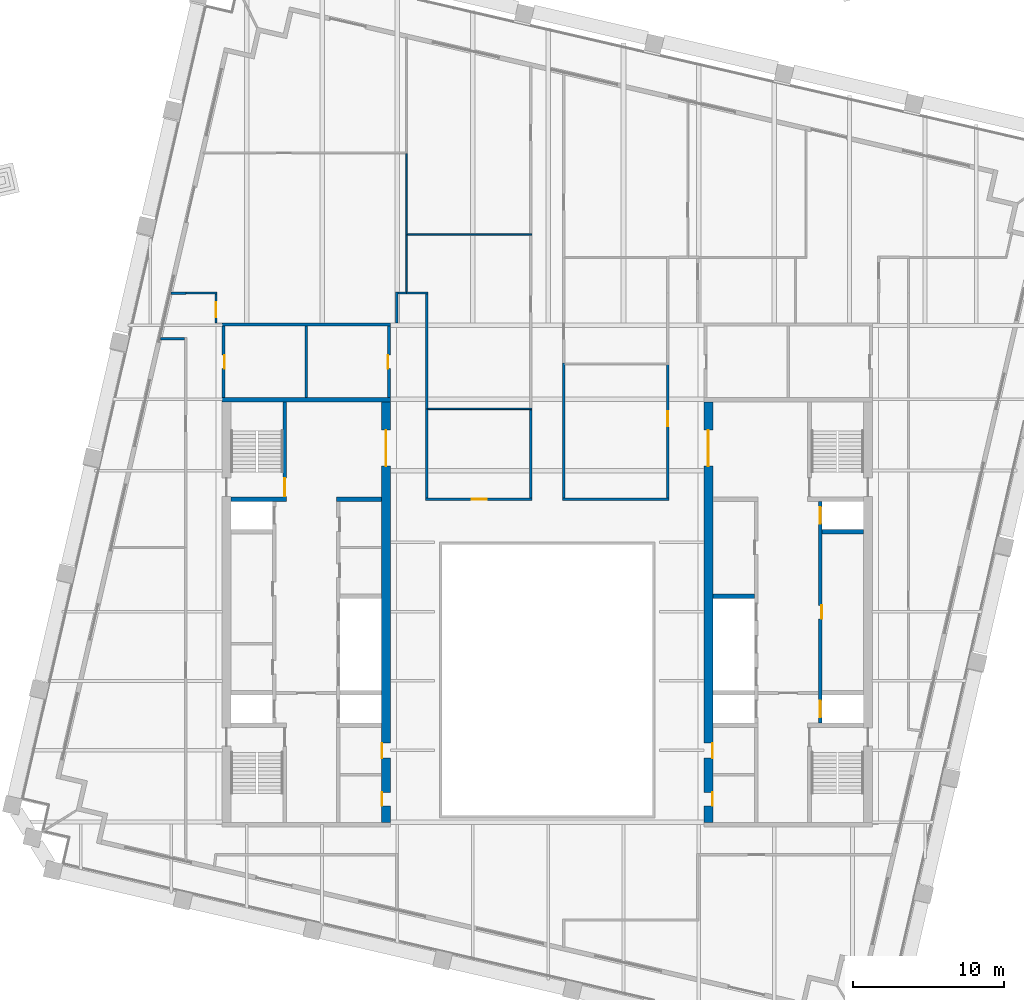
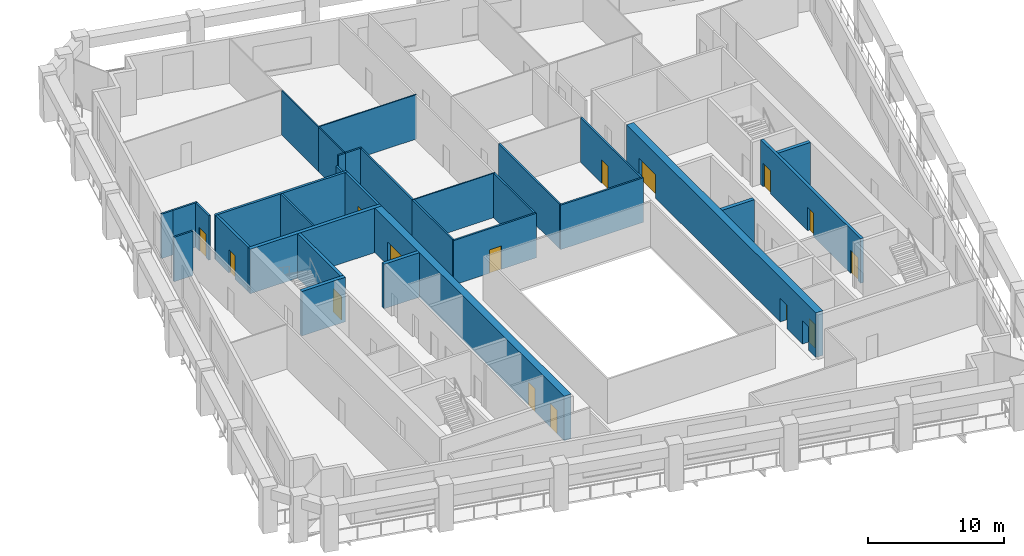
# One storey, part 6 of 9: 31 walls, 15 doors, 15 openings.
"""IFC4 building model written with IfcOpenShell, lengths in metres."""

from ifc_helpers import new_model, si_unit, direction, frame, frame_2d, origin, place, context, subcontext, project, spatial, rectangle, extrude, material, layer, layer_set, type_object, element, fill, save


model = new_model("IFC4")

# Units and contexts
model_context = context("Model", 3, precision=1e-05, world=origin(), true_north=direction((0.0, 1.0)))
body_context = subcontext(model_context, "Body", "Model", "MODEL_VIEW")
ifc_project = project(units=[si_unit("LENGTHUNIT", "METRE"), si_unit("AREAUNIT", "SQUARE_METRE"), si_unit("VOLUMEUNIT", "CUBIC_METRE"), si_unit("PLANEANGLEUNIT", "RADIAN"), si_unit("MASSUNIT", "GRAM", prefix="KILO")], contexts=[model_context])

# Site, building, storey
site_placement = place(None, origin())
site = spatial("IfcSite", under=ifc_project, at=site_placement, CompositionType="ELEMENT")
building_placement = place(site_placement, origin())
building = spatial("IfcBuilding", under=site, at=building_placement, Name="Ogive Exchange Tower", CompositionType="ELEMENT")
storey_placement = place(building_placement, frame((0.0, 0.0, 243.0)))
storey = spatial("IfcBuildingStorey", under=building, at=storey_placement, Name="L52", CompositionType="ELEMENT", Elevation=243.0)

# Walls
ifc_material_1 = material(Name="Gypsum board partition")
ifc_layer_1 = layer(ifc_material_1, 0.14990234375)
ifc_layer_set_1 = layer_set([ifc_layer_1], Name="Core room partition 150 gypsum")
wall_type_1 = type_object("IfcWallType", Name="Core room partition 150 gypsum", PredefinedType="PARTITIONING", material=ifc_layer_set_1)
wall_1_placement = place(storey_placement, frame((-16.0, 25.75, 0.0), z_axis=(0.0, 0.0, 1.0), x_axis=(0.0, 1.0, 0.0)))
element("IfcWall", 1, at=wall_1_placement, inside=storey, type_object=wall_type_1, Name="W annex N column wall", PredefinedType="PARTITIONING", context=body_context, shape_type="SweptSolid", body=[
    extrude(rectangle(XDim=4.75, YDim=0.14990234375, at=frame_2d((2.375, 0.0))), origin(), (0.0, 0.0, 1.0), 4.0),
])
ifc_layer_2 = layer(ifc_material_1, 0.300048828125)
ifc_layer_set_2 = layer_set([ifc_layer_2], Name="Core room partition 300 gypsum")
wall_type_2 = type_object("IfcWallType", Name="Core room partition 300 gypsum", PredefinedType="PARTITIONING", material=ifc_layer_set_2)
wall_2_placement = place(storey_placement, frame((-14.0, 19.0, 0.0), z_axis=(0.0, 0.0, 1.0), x_axis=(1.0, 0.0, 0.0)))
element("IfcWall", 2, at=wall_2_placement, inside=storey, type_object=wall_type_2, Name="W row B room end wall 7", PredefinedType="PARTITIONING", context=body_context, shape_type="SweptSolid", body=[
    extrude(rectangle(XDim=3.0, YDim=0.300048828125, at=frame_2d((1.5, 0.0))), origin(), (0.0, 0.0, 1.0), 4.0),
])
ifc_material_2 = material(Name="Fire partition EI 60 150")
ifc_layer_3 = layer(ifc_material_2, 0.14990234375)
ifc_layer_set_3 = layer_set([ifc_layer_3], Name="Fire partition EI 60 150")
wall_type_3 = type_object("IfcWallType", Name="Fire partition EI 60 150", PredefinedType="PARTITIONING", material=ifc_layer_set_3)
wall_3_placement = place(storey_placement, frame((-24.97900390625, 32.68994140625, 0.0), z_axis=(0.0, 0.0, 1.0), x_axis=(1.0, 0.0, 0.0)))
element("IfcWall", 3, at=wall_3_placement, inside=storey, type_object=wall_type_3, Name="L52-PWL-001", PredefinedType="PARTITIONING", context=body_context, shape_type="SweptSolid", body=[
    extrude(rectangle(XDim=0.97900390625, YDim=0.14990234375, at=frame_2d((0.489501953125, 0.0))), origin(), (0.0, 0.0, 1.0), 4.0),
])
wall_4_placement = place(storey_placement, frame((-24.074951171875, 29.659912109375, 0.0), z_axis=(0.0, 0.0, 1.0), x_axis=(-1.0, 0.0, 0.0)))
element("IfcWall", 4, at=wall_4_placement, inside=storey, type_object=wall_type_3, Name="L52-PWL-005", PredefinedType="PARTITIONING", context=body_context, shape_type="SweptSolid", body=[
    extrude(rectangle(XDim=1.60302734375, YDim=0.14990234375, at=frame_2d((0.801513671875, 0.0))), origin(), (0.0, 0.0, 1.0), 4.0),
])
wall_5_placement = place(storey_placement, frame((-24.0, 32.699951171875, 0.0), z_axis=(0.0, 0.0, 1.0), x_axis=(1.0, 0.0, 0.0)))
element("IfcWall", 5, at=wall_5_placement, inside=storey, type_object=wall_type_3, Name="L52-PWL-006", PredefinedType="PARTITIONING", context=body_context, shape_type="SweptSolid", body=[
    extrude(rectangle(XDim=2.074951171875, YDim=0.14990234375, at=frame_2d((1.03759765625, 0.0))), origin(), (0.0, 0.0, 1.0), 4.0),
])

# Wall, opening, door
wall_6_placement = place(storey_placement, frame((-22.0, 32.625, 0.0), z_axis=(0.0, 0.0, 1.0), x_axis=(0.0, -1.0, 0.0)))
wall_6 = element("IfcWall", 6, at=wall_6_placement, inside=storey, type_object=wall_type_3, Name="L52-PWL-010", PredefinedType="PARTITIONING", context=body_context, shape_type="SweptSolid", body=[
    extrude(rectangle(XDim=1.925048828125, YDim=0.14990234375, at=frame_2d((0.96240234375, 0.0))), origin(), (0.0, 0.0, 1.0), 4.0),
])
opening_1_placement = place(wall_6_placement, frame((0.52490234375, 0.0, 0.0)))
opening_1 = element("IfcOpeningElement", 7, at=opening_1_placement, cuts=wall_6, Name="Opening L52-I05", PredefinedType="OPENING", context=body_context, shape_type="SweptSolid", body=[
    extrude(rectangle(XDim=1.0, YDim=2.10009765625, at=frame_2d((0.5, 1.050048828125))), frame((0.0, 0.0849609375, 0.0), z_axis=(0.0, -1.0, 0.0), x_axis=(1.0, 0.0, 0.0)), (0.0, 0.0, 1.0), 0.169921875),
])
ifc_material_3 = material(Name="Fire door FD 30S 1000 x 2100")
door_type_1 = type_object("IfcDoorType", Name="Fire door FD 30S 1000 x 2100", OperationType="NOTDEFINED", PredefinedType="DOOR", material=ifc_material_3)
door_1_placement = place(opening_1_placement, origin())
door_1 = element("IfcDoor", 8, at=door_1_placement, inside=storey, type_object=door_type_1, Name="L52-IDR-005", ObjectType="DT3", OperationType="SINGLE_SWING_LEFT", OverallHeight=2.10009765625, OverallWidth=1.0, PredefinedType="DOOR", context=body_context, shape_type="SweptSolid", body=[
    extrude(rectangle(XDim=1.0, YDim=2.10009765625, at=frame_2d((0.5, 1.050048828125))), frame((0.0, 0.02490234375, 0.0), z_axis=(0.0, -1.0, 0.0), x_axis=(1.0, 0.0, 0.0)), (0.0, 0.0, 1.0), 0.050048828125),
])
fill(opening_1, door_1)

# Walls
wall_7_placement = place(storey_placement, frame((-10.0, 30.699951171875, 0.0), z_axis=(0.0, 0.0, 1.0), x_axis=(0.0, 1.0, 0.0)))
element("IfcWall", 9, at=wall_7_placement, inside=storey, type_object=wall_type_3, Name="L52-PWL-013", PredefinedType="PARTITIONING", context=body_context, shape_type="SweptSolid", body=[
    extrude(rectangle(XDim=2.074951171875, YDim=0.14990234375, at=frame_2d((1.03759765625, 0.0))), origin(), (0.0, 0.0, 1.0), 3.02001953125),
])
wall_8_placement = place(storey_placement, frame((-9.925048828125, 32.699951171875, 0.0), z_axis=(0.0, 0.0, 1.0), x_axis=(1.0, 0.0, 0.0)))
element("IfcWall", 10, at=wall_8_placement, inside=storey, type_object=wall_type_3, Name="L52-PWL-014", PredefinedType="PARTITIONING", context=body_context, shape_type="SweptSolid", body=[
    extrude(rectangle(XDim=0.5849609375, YDim=0.14990234375, at=frame_2d((0.29248046875, 0.0))), origin(), (0.0, 0.0, 1.0), 4.0),
])
wall_9_placement = place(storey_placement, frame((-9.340087890625, 32.699951171875, 0.0), z_axis=(0.0, 0.0, 1.0), x_axis=(1.0, 0.0, 0.0)))
element("IfcWall", 11, at=wall_9_placement, inside=storey, type_object=wall_type_3, Name="L52-PWL-016", PredefinedType="PARTITIONING", context=body_context, shape_type="SweptSolid", body=[
    extrude(rectangle(XDim=1.4150390625, YDim=0.14990234375, at=frame_2d((0.70751953125, 0.0))), origin(), (0.0, 0.0, 1.0), 4.0),
])

# Wall, opening, door
wall_10_placement = place(storey_placement, frame((-8.074951171875, 19.0, 0.0), z_axis=(0.0, 0.0, 1.0), x_axis=(1.0, 0.0, 0.0)))
wall_10 = element("IfcWall", 12, at=wall_10_placement, inside=storey, type_object=wall_type_3, Name="L52-PWL-020", PredefinedType="PARTITIONING", context=body_context, shape_type="SweptSolid", body=[
    extrude(rectangle(XDim=7.050048828125, YDim=0.14990234375, at=frame_2d((3.52490234375, 0.0))), origin(), (0.0, 0.0, 1.0), 4.0),
])
opening_2_placement = place(wall_10_placement, frame((3.074951171875, 0.0, 0.0)))
opening_2 = element("IfcOpeningElement", 13, at=opening_2_placement, cuts=wall_10, Name="Opening L52-I01", PredefinedType="OPENING", context=body_context, shape_type="SweptSolid", body=[
    extrude(rectangle(XDim=1.0, YDim=2.10009765625, at=frame_2d((0.5, 1.050048828125))), frame((0.0, 0.0849609375, 0.0), z_axis=(0.0, -1.0, 0.0), x_axis=(1.0, 0.0, 0.0)), (0.0, 0.0, 1.0), 0.169921875),
])
door_2_placement = place(opening_2_placement, origin())
door_2 = element("IfcDoor", 14, at=door_2_placement, inside=storey, type_object=door_type_1, Name="L52-IDR-001", ObjectType="DT3", OperationType="SINGLE_SWING_RIGHT", OverallHeight=2.10009765625, OverallWidth=1.0, PredefinedType="DOOR", context=body_context, shape_type="SweptSolid", body=[
    extrude(rectangle(XDim=1.0, YDim=2.10009765625, at=frame_2d((0.5, 1.050048828125))), frame((0.0, 0.02490234375, 0.0), z_axis=(0.0, -1.0, 0.0), x_axis=(1.0, 0.0, 0.0)), (0.0, 0.0, 1.0), 0.050048828125),
])
fill(opening_2, door_2)

# Walls
wall_11_placement = place(storey_placement, frame((-8.0, 25.0, 0.0), z_axis=(0.0, 0.0, 1.0), x_axis=(0.0, -1.0, 0.0)))
element("IfcWall", 15, at=wall_11_placement, inside=storey, type_object=wall_type_3, Name="L52-PWL-021", PredefinedType="PARTITIONING", context=body_context, shape_type="SweptSolid", body=[
    extrude(rectangle(XDim=5.925048828125, YDim=0.14990234375, at=frame_2d((2.96240234375, 0.0))), origin(), (0.0, 0.0, 1.0), 4.0),
])
wall_12_placement = place(storey_placement, frame((-8.0, 32.625, 0.0), z_axis=(0.0, 0.0, 1.0), x_axis=(0.0, -1.0, 0.0)))
element("IfcWall", 16, at=wall_12_placement, inside=storey, type_object=wall_type_3, Name="L52-PWL-023", PredefinedType="PARTITIONING", context=body_context, shape_type="SweptSolid", body=[
    extrude(rectangle(XDim=7.625, YDim=0.14990234375, at=frame_2d((3.8125, 0.0))), origin(), (0.0, 0.0, 1.0), 4.0),
])
wall_13_placement = place(storey_placement, frame((-1.10009765625, 19.074951171875, 0.0), z_axis=(0.0, 0.0, 1.0), x_axis=(0.0, 1.0, 0.0)))
element("IfcWall", 17, at=wall_13_placement, inside=storey, type_object=wall_type_3, Name="L52-PWL-024", PredefinedType="PARTITIONING", context=body_context, shape_type="SweptSolid", body=[
    extrude(rectangle(XDim=5.875, YDim=0.14990234375, at=frame_2d((2.9375, 0.0))), origin(), (0.0, 0.0, 1.0), 4.0),
])
wall_14_placement = place(storey_placement, frame((1.02490234375, 19.0, 0.0), z_axis=(0.0, 0.0, 1.0), x_axis=(1.0, 0.0, 0.0)))
element("IfcWall", 18, at=wall_14_placement, inside=storey, type_object=wall_type_3, Name="L52-PWL-028", PredefinedType="PARTITIONING", context=body_context, shape_type="SweptSolid", body=[
    extrude(rectangle(XDim=7.050048828125, YDim=0.14990234375, at=frame_2d((3.52490234375, 0.0))), origin(), (0.0, 0.0, 1.0), 4.0),
])
wall_15_placement = place(storey_placement, frame((1.10009765625, 28.050048828125, 0.0), z_axis=(0.0, 0.0, 1.0), x_axis=(0.0, -1.0, 0.0)))
element("IfcWall", 19, at=wall_15_placement, inside=storey, type_object=wall_type_3, Name="L52-PWL-029", PredefinedType="PARTITIONING", context=body_context, shape_type="SweptSolid", body=[
    extrude(rectangle(XDim=8.97509765625, YDim=0.14990234375, at=frame_2d((4.487548828125, 0.0))), origin(), (0.0, 0.0, 1.0), 4.0),
])

# Wall, opening, door
wall_16_placement = place(storey_placement, frame((8.0, 19.074951171875, 0.0), z_axis=(0.0, 0.0, 1.0), x_axis=(0.0, 1.0, 0.0)))
wall_16 = element("IfcWall", 20, at=wall_16_placement, inside=storey, type_object=wall_type_3, Name="L52-PWL-033", PredefinedType="PARTITIONING", context=body_context, shape_type="SweptSolid", body=[
    extrude(rectangle(XDim=8.875, YDim=0.14990234375, at=frame_2d((4.4375, 0.0))), origin(), (0.0, 0.0, 1.0), 4.0),
])
opening_3_placement = place(wall_16_placement, frame((4.77490234375, 0.0, 0.0)))
opening_3 = element("IfcOpeningElement", 21, at=opening_3_placement, cuts=wall_16, Name="Opening L52-I08", PredefinedType="OPENING", context=body_context, shape_type="SweptSolid", body=[
    extrude(rectangle(XDim=1.0, YDim=2.10009765625, at=frame_2d((0.5, 1.050048828125))), frame((0.0, 0.0849609375, 0.0), z_axis=(0.0, -1.0, 0.0), x_axis=(1.0, 0.0, 0.0)), (0.0, 0.0, 1.0), 0.169921875),
])
door_3_placement = place(opening_3_placement, origin())
door_3 = element("IfcDoor", 22, at=door_3_placement, inside=storey, type_object=door_type_1, Name="L52-IDR-008", ObjectType="DT3", OperationType="SINGLE_SWING_LEFT", OverallHeight=2.10009765625, OverallWidth=1.0, PredefinedType="DOOR", context=body_context, shape_type="SweptSolid", body=[
    extrude(rectangle(XDim=1.0, YDim=2.10009765625, at=frame_2d((0.5, 1.050048828125))), frame((0.0, 0.02490234375, 0.0), z_axis=(0.0, -1.0, 0.0), x_axis=(1.0, 0.0, 0.0)), (0.0, 0.0, 1.0), 0.050048828125),
])
fill(opening_3, door_3)

# Walls
ifc_material_4 = material(Name="Partition 100 gypsum")
ifc_layer_4 = layer(ifc_material_4, 0.10009765625)
ifc_layer_set_4 = layer_set([ifc_layer_4], Name="Partition 100 gypsum")
wall_type_4 = type_object("IfcWallType", Name="Partition 100 gypsum", PredefinedType="PARTITIONING", material=ifc_layer_set_4)
wall_17_placement = place(storey_placement, frame((-9.340087890625, 32.77490234375, 0.0), z_axis=(0.0, 0.0, 1.0), x_axis=(0.0, 1.0, 0.0)))
element("IfcWall", 23, at=wall_17_placement, inside=storey, type_object=wall_type_4, Name="L52-PWL-015", PredefinedType="PARTITIONING", context=body_context, shape_type="SweptSolid", body=[
    extrude(rectangle(XDim=3.76513671875, YDim=0.10009765625, at=frame_2d((1.882568359375, 0.0))), origin(), (0.0, 0.0, 1.0), 4.0),
])
wall_18_placement = place(storey_placement, frame((-9.340087890625, 36.5400390625, 0.0), z_axis=(0.0, 0.0, 1.0), x_axis=(0.0, 1.0, 0.0)))
element("IfcWall", 24, at=wall_18_placement, inside=storey, type_object=wall_type_4, Name="L52-PWL-017", PredefinedType="PARTITIONING", context=body_context, shape_type="SweptSolid", body=[
    extrude(rectangle(XDim=5.409912109375, YDim=0.10009765625, at=frame_2d((2.705078125, 0.0))), origin(), (0.0, 0.0, 1.0), 4.0),
])
wall_19_placement = place(storey_placement, frame((-9.2900390625, 36.590087890625, 0.0), z_axis=(0.0, 0.0, 1.0), x_axis=(1.0, 0.0, 0.0)))
element("IfcWall", 25, at=wall_19_placement, inside=storey, type_object=wall_type_4, Name="L52-PWL-018", PredefinedType="PARTITIONING", context=body_context, shape_type="SweptSolid", body=[
    extrude(rectangle(XDim=8.26513671875, YDim=0.10009765625, at=frame_2d((4.132568359375, 0.0))), origin(), (0.0, 0.0, 1.0), 4.0),
])
wall_20_placement = place(storey_placement, frame((-7.925048828125, 25.0, 0.0), z_axis=(0.0, 0.0, 1.0), x_axis=(1.0, 0.0, 0.0)))
element("IfcWall", 26, at=wall_20_placement, inside=storey, type_object=wall_type_4, Name="L52-PWL-022", PredefinedType="PARTITIONING", context=body_context, shape_type="SweptSolid", body=[
    extrude(rectangle(XDim=6.900146484375, YDim=0.10009765625, at=frame_2d((3.4501953125, 0.0))), origin(), (0.0, 0.0, 1.0), 4.0),
])

# Wall, opening, door
ifc_material_5 = material(Name="Concrete C70/85", Category="concrete")
ifc_layer_5 = layer(ifc_material_5, 0.199951171875)
ifc_layer_set_5 = layer_set([ifc_layer_5], Name="RC core wall 200 C70/85")
wall_type_5 = type_object("IfcWallType", Name="RC core wall 200 C70/85", PredefinedType="SHEAR", material=ifc_layer_set_5)
wall_21_placement = place(storey_placement, frame((-21.5, 25.75, 0.0), z_axis=(0.0, 0.0, 1.0), x_axis=(0.0, 1.0, 0.0)))
wall_21 = element("IfcWall", 27, at=wall_21_placement, inside=storey, type_object=wall_type_5, Name="W annex N outer wall", PredefinedType="SHEAR", context=body_context, shape_type="SweptSolid", body=[
    extrude(rectangle(XDim=4.75, YDim=0.199951171875, at=frame_2d((2.375, 0.0))), origin(), (0.0, 0.0, 1.0), 4.0),
])
opening_4_placement = place(wall_21_placement, frame((1.925048828125, 0.0, 0.0)))
opening_4 = element("IfcOpeningElement", 28, at=opening_4_placement, cuts=wall_21, Name="Opening L52-C19", PredefinedType="OPENING", context=body_context, shape_type="SweptSolid", body=[
    extrude(rectangle(XDim=0.89990234375, YDim=2.10009765625, at=frame_2d((0.449951171875, 1.050048828125))), frame((0.0, 0.10986328125, 0.0), z_axis=(0.0, -1.0, 0.0), x_axis=(1.0, 0.0, 0.0)), (0.0, 0.0, 1.0), 0.219970703125),
])
ifc_material_6 = material(Name="Steel fire door", Category="steel")
door_type_2 = type_object("IfcDoorType", Name="Riser door FD60 900 x 2100", OperationType="NOTDEFINED", PredefinedType="DOOR", material=ifc_material_6)
door_4_placement = place(opening_4_placement, origin())
door_4 = element("IfcDoor", 29, at=door_4_placement, inside=storey, type_object=door_type_2, Name="Riser door", ObjectType="CD2", OperationType="SINGLE_SWING_LEFT", OverallHeight=2.10009765625, OverallWidth=0.89990234375, PredefinedType="DOOR", context=body_context, shape_type="SweptSolid", body=[
    extrude(rectangle(XDim=0.89990234375, YDim=2.10009765625, at=frame_2d((0.449951171875, 1.050048828125))), frame((0.0, -0.0498046875, 0.0), z_axis=(0.0, -1.0, 0.0), x_axis=(1.0, 0.0, 0.0)), (0.0, 0.0, 1.0), 0.050048828125),
])
fill(opening_4, door_4)

wall_22_placement = place(storey_placement, frame((-10.5, 25.75, 0.0), z_axis=(0.0, 0.0, 1.0), x_axis=(0.0, 1.0, 0.0)))
wall_22 = element("IfcWall", 30, at=wall_22_placement, inside=storey, type_object=wall_type_5, Name="W annex N inner wall", PredefinedType="SHEAR", context=body_context, shape_type="SweptSolid", body=[
    extrude(rectangle(XDim=4.75, YDim=0.199951171875, at=frame_2d((2.375, 0.0))), origin(), (0.0, 0.0, 1.0), 4.0),
])
opening_5_placement = place(wall_22_placement, frame((1.925048828125, 0.0, 0.0)))
opening_5 = element("IfcOpeningElement", 31, at=opening_5_placement, cuts=wall_22, Name="Opening L52-C20", PredefinedType="OPENING", context=body_context, shape_type="SweptSolid", body=[
    extrude(rectangle(XDim=0.89990234375, YDim=2.10009765625, at=frame_2d((0.449951171875, 1.050048828125))), frame((0.0, 0.10986328125, 0.0), z_axis=(0.0, -1.0, 0.0), x_axis=(1.0, 0.0, 0.0)), (0.0, 0.0, 1.0), 0.219970703125),
])
door_5_placement = place(opening_5_placement, frame((0.89990234375, 0.14990234375, 0.0), z_axis=(0.0, 0.0, 1.0), x_axis=(-1.0, 0.0, 0.0)))
door_5 = element("IfcDoor", 32, at=door_5_placement, inside=storey, type_object=door_type_2, Name="Riser door", ObjectType="CD2", OperationType="SINGLE_SWING_LEFT", OverallHeight=2.10009765625, OverallWidth=0.89990234375, PredefinedType="DOOR", context=body_context, shape_type="SweptSolid", body=[
    extrude(rectangle(XDim=0.89990234375, YDim=2.10009765625, at=frame_2d((0.449951171875, 1.050048828125))), frame((0.0, 0.10009765625, 0.0), z_axis=(0.0, -1.0, 0.0), x_axis=(1.0, 0.0, 0.0)), (0.0, 0.0, 1.0), 0.050048828125),
])
fill(opening_5, door_5)

# Wall
wall_23_placement = place(storey_placement, frame((-21.60009765625, 30.60009765625, 0.0), z_axis=(0.0, 0.0, 1.0), x_axis=(1.0, 0.0, 0.0)))
element("IfcWall", 33, at=wall_23_placement, inside=storey, type_object=wall_type_5, Name="W annex N end wall", PredefinedType="SHEAR", context=body_context, shape_type="SweptSolid", body=[
    extrude(rectangle(XDim=11.2001953125, YDim=0.199951171875, at=frame_2d((5.60009765625, 0.0))), origin(), (0.0, 0.0, 1.0), 4.0),
])

# Wall, opening, door
ifc_layer_6 = layer(ifc_material_5, 0.25)
ifc_layer_set_6 = layer_set([ifc_layer_6], Name="RC core wall 250 C70/85")
wall_type_6 = type_object("IfcWallType", Name="RC core wall 250 C70/85", PredefinedType="SHEAR", material=ifc_layer_set_6)
wall_24_placement = place(storey_placement, frame((-17.425048828125, 19.14990234375, 0.0), z_axis=(0.0, 0.0, 1.0), x_axis=(0.0, 1.0, 0.0)))
wall_24 = element("IfcWall", 34, at=wall_24_placement, inside=storey, type_object=wall_type_6, Name="W stair N front wall", PredefinedType="SHEAR", context=body_context, shape_type="SweptSolid", body=[
    extrude(rectangle(XDim=6.300048828125, YDim=0.25, at=frame_2d((3.14990234375, 0.0))), origin(), (0.0, 0.0, 1.0), 4.0),
])
opening_6_placement = place(wall_24_placement, frame((0.050048828125, 0.0, 0.0)))
opening_6 = element("IfcOpeningElement", 35, at=opening_6_placement, cuts=wall_24, Name="Opening L52-C15", PredefinedType="OPENING", context=body_context, shape_type="SweptSolid", body=[
    extrude(rectangle(XDim=1.199951171875, YDim=2.10009765625, at=frame_2d((0.60009765625, 1.050048828125))), frame((0.0, 0.135009765625, 0.0), z_axis=(0.0, -1.0, 0.0), x_axis=(1.0, 0.0, 0.0)), (0.0, 0.0, 1.0), 0.27001953125),
])
door_type_3 = type_object("IfcDoorType", Name="Stair door FD90 1200 x 2100", OperationType="NOTDEFINED", PredefinedType="DOOR", material=ifc_material_6)
door_6_placement = place(opening_6_placement, origin())
door_6 = element("IfcDoor", 36, at=door_6_placement, inside=storey, type_object=door_type_3, Name="Stair door", ObjectType="CD5", OperationType="SINGLE_SWING_RIGHT", OverallHeight=2.10009765625, OverallWidth=1.199951171875, PredefinedType="DOOR", context=body_context, shape_type="SweptSolid", body=[
    extrude(rectangle(XDim=1.199951171875, YDim=2.10009765625, at=frame_2d((0.60009765625, 1.050048828125))), frame((0.0, 0.02490234375, 0.0), z_axis=(0.0, -1.0, 0.0), x_axis=(1.0, 0.0, 0.0)), (0.0, 0.0, 1.0), 0.050048828125),
])
fill(opening_6, door_6)

# Wall, openings, doors
wall_25_placement = place(storey_placement, frame((18.125, 4.14990234375, 0.0), z_axis=(0.0, 0.0, 1.0), x_axis=(0.0, 1.0, 0.0)))
wall_25 = element("IfcWall", 37, at=wall_25_placement, inside=storey, type_object=wall_type_6, Name="E row A front wall", PredefinedType="SHEAR", context=body_context, shape_type="SweptSolid", body=[
    extrude(rectangle(XDim=14.7001953125, YDim=0.25, at=frame_2d((7.35009765625, 0.0))), origin(), (0.0, 0.0, 1.0), 4.0),
])
opening_7_placement = place(wall_25_placement, frame((6.89990234375, 0.0, 0.0)))
opening_7 = element("IfcOpeningElement", 38, at=opening_7_placement, cuts=wall_25, Name="Opening L52-C21", PredefinedType="OPENING", context=body_context, shape_type="SweptSolid", body=[
    extrude(rectangle(XDim=0.89990234375, YDim=2.10009765625, at=frame_2d((0.449951171875, 1.050048828125))), frame((0.0, 0.135009765625, 0.0), z_axis=(0.0, -1.0, 0.0), x_axis=(1.0, 0.0, 0.0)), (0.0, 0.0, 1.0), 0.27001953125),
])
opening_8_placement = place(wall_25_placement, frame((0.371337890625, 0.0, 0.0)))
opening_8 = element("IfcOpeningElement", 39, at=opening_8_placement, cuts=wall_25, Name="Opening L52-C22", PredefinedType="OPENING", context=body_context, shape_type="SweptSolid", body=[
    extrude(rectangle(XDim=1.10009765625, YDim=2.10009765625, at=frame_2d((0.550048828125, 1.050048828125))), frame((0.0, 0.135009765625, 0.0), z_axis=(0.0, -1.0, 0.0), x_axis=(1.0, 0.0, 0.0)), (0.0, 0.0, 1.0), 0.27001953125),
])
opening_9_placement = place(wall_25_placement, frame((13.228515625, 0.0, 0.0)))
opening_9 = element("IfcOpeningElement", 40, at=opening_9_placement, cuts=wall_25, Name="Opening L52-C23", PredefinedType="OPENING", context=body_context, shape_type="SweptSolid", body=[
    extrude(rectangle(XDim=1.10009765625, YDim=2.10009765625, at=frame_2d((0.550048828125, 1.050048828125))), frame((0.0, 0.135009765625, 0.0), z_axis=(0.0, -1.0, 0.0), x_axis=(1.0, 0.0, 0.0)), (0.0, 0.0, 1.0), 0.27001953125),
])
ifc_material_7 = material(Name="Stainless steel", Category="steel")
door_type_4 = type_object("IfcDoorType", Name="Lift landing door FD90 1100 x 2100", OperationType="SLIDING_TO_LEFT", PredefinedType="DOOR", material=ifc_material_7)
door_7_placement = place(opening_8_placement, origin())
door_7 = element("IfcDoor", 41, at=door_7_placement, inside=storey, type_object=door_type_4, Name="Lift landing door FF2", ObjectType="LD", OperationType="SLIDING_TO_LEFT", OverallHeight=2.10009765625, OverallWidth=1.10009765625, PredefinedType="DOOR", context=body_context, shape_type="SweptSolid", body=[
    extrude(rectangle(XDim=1.10009765625, YDim=2.10009765625, at=frame_2d((0.550048828125, 1.050048828125))), frame((0.0, 0.02490234375, 0.0), z_axis=(0.0, -1.0, 0.0), x_axis=(1.0, 0.0, 0.0)), (0.0, 0.0, 1.0), 0.050048828125),
])
fill(opening_8, door_7)
door_8_placement = place(opening_9_placement, origin())
door_8 = element("IfcDoor", 42, at=door_8_placement, inside=storey, type_object=door_type_4, Name="Lift landing door E-SH2", ObjectType="LD", OperationType="SLIDING_TO_LEFT", OverallHeight=2.10009765625, OverallWidth=1.10009765625, PredefinedType="DOOR", context=body_context, shape_type="SweptSolid", body=[
    extrude(rectangle(XDim=1.10009765625, YDim=2.10009765625, at=frame_2d((0.550048828125, 1.050048828125))), frame((0.0, 0.02490234375, 0.0), z_axis=(0.0, -1.0, 0.0), x_axis=(1.0, 0.0, 0.0)), (0.0, 0.0, 1.0), 0.050048828125),
])
fill(opening_9, door_8)
door_9_placement = place(opening_7_placement, frame((0.89990234375, -0.2001953125, 0.0), z_axis=(0.0, 0.0, 1.0), x_axis=(-1.0, 0.0, 0.0)))
door_9 = element("IfcDoor", 43, at=door_9_placement, inside=storey, type_object=door_type_2, Name="Riser door", ObjectType="CD2", OperationType="SINGLE_SWING_LEFT", OverallHeight=2.10009765625, OverallWidth=0.89990234375, PredefinedType="DOOR", context=body_context, shape_type="SweptSolid", body=[
    extrude(rectangle(XDim=0.89990234375, YDim=2.10009765625, at=frame_2d((0.449951171875, 1.050048828125))), frame((0.0, -0.0751953125, 0.0), z_axis=(0.0, -1.0, 0.0), x_axis=(1.0, 0.0, 0.0)), (0.0, 0.0, 1.0), 0.050048828125),
])
fill(opening_7, door_9)

# Walls
ifc_layer_7 = layer(ifc_material_5, 0.300048828125)
ifc_layer_set_7 = layer_set([ifc_layer_7], Name="RC core wall 300 C70/85")
wall_type_7 = type_object("IfcWallType", Name="RC core wall 300 C70/85", PredefinedType="SHEAR", material=ifc_layer_set_7)
wall_26_placement = place(storey_placement, frame((-21.60009765625, 25.60009765625, 0.0), z_axis=(0.0, 0.0, 1.0), x_axis=(1.0, 0.0, 0.0)))
element("IfcWall", 44, at=wall_26_placement, inside=storey, type_object=wall_type_7, Name="W north end wall", PredefinedType="SHEAR", context=body_context, shape_type="SweptSolid", body=[
    extrude(rectangle(XDim=11.2001953125, YDim=0.300048828125, at=frame_2d((5.60009765625, 0.0))), origin(), (0.0, 0.0, 1.0), 4.0),
])
wall_27_placement = place(storey_placement, frame((-21.0, 19.0, 0.0), z_axis=(0.0, 0.0, 1.0), x_axis=(1.0, 0.0, 0.0)))
element("IfcWall", 45, at=wall_27_placement, inside=storey, type_object=wall_type_7, Name="W stair N south wall", PredefinedType="SHEAR", context=body_context, shape_type="SweptSolid", body=[
    extrude(rectangle(XDim=3.699951171875, YDim=0.300048828125, at=frame_2d((1.85009765625, 0.0))), origin(), (0.0, 0.0, 1.0), 4.0),
])
for number, where, z_axis, x_axis, name in (
    (46, (18.25, 16.857177734375, 0.0), (0.0, 0.0, 1.0), (1.0, 0.0, 0.0), "E row A divider 6"),
    (47, (11.0, 12.5712890625, 0.0), (0.0, 0.0, 1.0), (1.0, 0.0, 0.0), "E row B divider 4"),
):
    element("IfcWall", number, at=place(storey_placement, frame(where, z_axis=z_axis, x_axis=x_axis)), inside=storey, type_object=wall_type_7, Name=name, PredefinedType="SHEAR", context=body_context, shape_type="SweptSolid", body=[
        extrude(rectangle(XDim=2.75, YDim=0.300048828125, at=frame_2d((1.375, 0.0))), origin(), (0.0, 0.0, 1.0), 4.0),
    ])

# Wall, openings, doors
ifc_layer_8 = layer(ifc_material_5, 0.60009765625)
ifc_layer_set_8 = layer_set([ifc_layer_8], Name="RC core wall 600 C70/85")
wall_type_8 = type_object("IfcWallType", Name="RC core wall 600 C70/85", PredefinedType="SHEAR", material=ifc_layer_set_8)
wall_28_placement = place(storey_placement, frame((-10.699951171875, -2.449951171875, 0.0), z_axis=(0.0, 0.0, 1.0), x_axis=(0.0, 1.0, 0.0)))
wall_28 = element("IfcWall", 48, at=wall_28_placement, inside=storey, type_object=wall_type_8, Name="W inner wall", PredefinedType="SHEAR", context=body_context, shape_type="SweptSolid", body=[
    extrude(rectangle(XDim=27.89990234375, YDim=0.60009765625, at=frame_2d((13.949951171875, 0.0))), origin(), (0.0, 0.0, 1.0), 4.0),
])
opening_10_placement = place(wall_28_placement, frame((23.64990234375, 0.0, 0.0)))
opening_10 = element("IfcOpeningElement", 49, at=opening_10_placement, cuts=wall_28, Name="Opening L52-C12", PredefinedType="OPENING", context=body_context, shape_type="SweptSolid", body=[
    extrude(rectangle(XDim=2.39990234375, YDim=2.10009765625, at=frame_2d((1.199951171875, 1.050048828125))), frame((0.0, 0.31005859375, 0.0), z_axis=(0.0, -1.0, 0.0), x_axis=(1.0, 0.0, 0.0)), (0.0, 0.0, 1.0), 0.6201171875),
])
opening_11_placement = place(wall_28_placement, frame((1.08740234375, 0.0, 0.0)))
opening_11 = element("IfcOpeningElement", 50, at=opening_11_placement, cuts=wall_28, Name="Opening L52-C17", PredefinedType="OPENING", context=body_context, shape_type="SweptSolid", body=[
    extrude(rectangle(XDim=0.89990234375, YDim=2.10009765625, at=frame_2d((0.449951171875, 1.050048828125))), frame((0.0, 0.31005859375, 0.0), z_axis=(0.0, -1.0, 0.0), x_axis=(1.0, 0.0, 0.0)), (0.0, 0.0, 1.0), 0.6201171875),
])
opening_12_placement = place(wall_28_placement, frame((4.262451171875, 0.0, 0.0)))
opening_12 = element("IfcOpeningElement", 51, at=opening_12_placement, cuts=wall_28, Name="Opening L52-C18", PredefinedType="OPENING", context=body_context, shape_type="SweptSolid", body=[
    extrude(rectangle(XDim=1.0, YDim=2.10009765625, at=frame_2d((0.5, 1.050048828125))), frame((0.0, 0.31005859375, 0.0), z_axis=(0.0, -1.0, 0.0), x_axis=(1.0, 0.0, 0.0)), (0.0, 0.0, 1.0), 0.6201171875),
])
ifc_material_8 = material(Name="Timber fire door", Category="wood")
door_type_5 = type_object("IfcDoorType", Name="Accessible WC door FD30S 1000 x 2100", OperationType="NOTDEFINED", PredefinedType="DOOR", material=ifc_material_8)
door_10_placement = place(opening_12_placement, frame((1.0, 0.5498046875, 0.0), z_axis=(0.0, 0.0, 1.0), x_axis=(-1.0, 0.0, 0.0)))
door_10 = element("IfcDoor", 52, at=door_10_placement, inside=storey, type_object=door_type_5, Name="Accessible WC door", ObjectType="CD7", OperationType="SINGLE_SWING_RIGHT", OverallHeight=2.10009765625, OverallWidth=1.0, PredefinedType="DOOR", context=body_context, shape_type="SweptSolid", body=[
    extrude(rectangle(XDim=1.0, YDim=2.10009765625, at=frame_2d((0.5, 1.050048828125))), frame((0.0, 0.2998046875, 0.0), z_axis=(0.0, -1.0, 0.0), x_axis=(1.0, 0.0, 0.0)), (0.0, 0.0, 1.0), 0.050048828125),
])
fill(opening_12, door_10)
door_type_6 = type_object("IfcDoorType", Name="Core room door FD30S 900 x 2100", OperationType="NOTDEFINED", PredefinedType="DOOR", material=ifc_material_8)
door_11_placement = place(opening_11_placement, frame((0.89990234375, 0.5498046875, 0.0), z_axis=(0.0, 0.0, 1.0), x_axis=(-1.0, 0.0, 0.0)))
door_11 = element("IfcDoor", 53, at=door_11_placement, inside=storey, type_object=door_type_6, Name="Core room door", ObjectType="CD6", OperationType="SINGLE_SWING_LEFT", OverallHeight=2.10009765625, OverallWidth=0.89990234375, PredefinedType="DOOR", context=body_context, shape_type="SweptSolid", body=[
    extrude(rectangle(XDim=0.89990234375, YDim=2.10009765625, at=frame_2d((0.449951171875, 1.050048828125))), frame((0.0, 0.2998046875, 0.0), z_axis=(0.0, -1.0, 0.0), x_axis=(1.0, 0.0, 0.0)), (0.0, 0.0, 1.0), 0.050048828125),
])
fill(opening_11, door_11)
ifc_material_9 = material(Name="Glazed steel fire door", Category="steel")
door_type_7 = type_object("IfcDoorType", Name="Lift lobby double door FD60 2400 x 2100", OperationType="DOUBLE_DOOR_SINGLE_SWING", PredefinedType="DOOR", material=ifc_material_9)
door_12_placement = place(opening_10_placement, frame((2.39990234375, 0.0, 0.0), z_axis=(0.0, 0.0, 1.0), x_axis=(-1.0, 0.0, 0.0)))
door_12 = element("IfcDoor", 54, at=door_12_placement, inside=storey, type_object=door_type_7, Name="Lift lobby double door", ObjectType="CD4", OperationType="DOUBLE_DOOR_SINGLE_SWING", OverallHeight=2.10009765625, OverallWidth=2.39990234375, PredefinedType="DOOR", context=body_context, shape_type="SweptSolid", body=[
    extrude(rectangle(XDim=2.39990234375, YDim=2.10009765625, at=frame_2d((1.199951171875, 1.050048828125))), frame((0.0, 0.02490234375, 0.0), z_axis=(0.0, -1.0, 0.0), x_axis=(1.0, 0.0, 0.0)), (0.0, 0.0, 1.0), 0.050048828125),
])
fill(opening_10, door_12)

wall_29_placement = place(storey_placement, frame((10.699951171875, -2.449951171875, 0.0), z_axis=(0.0, 0.0, 1.0), x_axis=(0.0, 1.0, 0.0)))
wall_29 = element("IfcWall", 55, at=wall_29_placement, inside=storey, type_object=wall_type_8, Name="E inner wall", PredefinedType="SHEAR", context=body_context, shape_type="SweptSolid", body=[
    extrude(rectangle(XDim=27.89990234375, YDim=0.60009765625, at=frame_2d((13.949951171875, 0.0))), origin(), (0.0, 0.0, 1.0), 4.0),
])
opening_13_placement = place(wall_29_placement, frame((23.64990234375, 0.0, 0.0)))
opening_13 = element("IfcOpeningElement", 56, at=opening_13_placement, cuts=wall_29, Name="Opening L52-C30", PredefinedType="OPENING", context=body_context, shape_type="SweptSolid", body=[
    extrude(rectangle(XDim=2.39990234375, YDim=2.10009765625, at=frame_2d((1.199951171875, 1.050048828125))), frame((0.0, 0.31005859375, 0.0), z_axis=(0.0, -1.0, 0.0), x_axis=(1.0, 0.0, 0.0)), (0.0, 0.0, 1.0), 0.6201171875),
])
opening_14_placement = place(wall_29_placement, frame((1.08740234375, 0.0, 0.0)))
opening_14 = element("IfcOpeningElement", 57, at=opening_14_placement, cuts=wall_29, Name="Opening L52-C35", PredefinedType="OPENING", context=body_context, shape_type="SweptSolid", body=[
    extrude(rectangle(XDim=0.89990234375, YDim=2.10009765625, at=frame_2d((0.449951171875, 1.050048828125))), frame((0.0, 0.31005859375, 0.0), z_axis=(0.0, -1.0, 0.0), x_axis=(1.0, 0.0, 0.0)), (0.0, 0.0, 1.0), 0.6201171875),
])
opening_15_placement = place(wall_29_placement, frame((4.262451171875, 0.0, 0.0)))
opening_15 = element("IfcOpeningElement", 58, at=opening_15_placement, cuts=wall_29, Name="Opening L52-C36", PredefinedType="OPENING", context=body_context, shape_type="SweptSolid", body=[
    extrude(rectangle(XDim=1.0, YDim=2.10009765625, at=frame_2d((0.5, 1.050048828125))), frame((0.0, 0.31005859375, 0.0), z_axis=(0.0, -1.0, 0.0), x_axis=(1.0, 0.0, 0.0)), (0.0, 0.0, 1.0), 0.6201171875),
])
door_13_placement = place(opening_15_placement, origin())
door_13 = element("IfcDoor", 59, at=door_13_placement, inside=storey, type_object=door_type_5, Name="Accessible WC door", ObjectType="CD7", OperationType="SINGLE_SWING_RIGHT", OverallHeight=2.10009765625, OverallWidth=1.0, PredefinedType="DOOR", context=body_context, shape_type="SweptSolid", body=[
    extrude(rectangle(XDim=1.0, YDim=2.10009765625, at=frame_2d((0.5, 1.050048828125))), frame((0.0, -0.25, 0.0), z_axis=(0.0, -1.0, 0.0), x_axis=(1.0, 0.0, 0.0)), (0.0, 0.0, 1.0), 0.050048828125),
])
fill(opening_15, door_13)
door_14_placement = place(opening_14_placement, origin())
door_14 = element("IfcDoor", 60, at=door_14_placement, inside=storey, type_object=door_type_6, Name="Core room door", ObjectType="CD6", OperationType="SINGLE_SWING_RIGHT", OverallHeight=2.10009765625, OverallWidth=0.89990234375, PredefinedType="DOOR", context=body_context, shape_type="SweptSolid", body=[
    extrude(rectangle(XDim=0.89990234375, YDim=2.10009765625, at=frame_2d((0.449951171875, 1.050048828125))), frame((0.0, -0.25, 0.0), z_axis=(0.0, -1.0, 0.0), x_axis=(1.0, 0.0, 0.0)), (0.0, 0.0, 1.0), 0.050048828125),
])
fill(opening_14, door_14)
door_15_placement = place(opening_13_placement, origin())
door_15 = element("IfcDoor", 61, at=door_15_placement, inside=storey, type_object=door_type_7, Name="Lift lobby double door", ObjectType="CD4", OperationType="DOUBLE_DOOR_SINGLE_SWING", OverallHeight=2.10009765625, OverallWidth=2.39990234375, PredefinedType="DOOR", context=body_context, shape_type="SweptSolid", body=[
    extrude(rectangle(XDim=2.39990234375, YDim=2.10009765625, at=frame_2d((1.199951171875, 1.050048828125))), frame((0.0, 0.02490234375, 0.0), z_axis=(0.0, -1.0, 0.0), x_axis=(1.0, 0.0, 0.0)), (0.0, 0.0, 1.0), 0.050048828125),
])
fill(opening_13, door_15)

save(model, "model.ifc")
